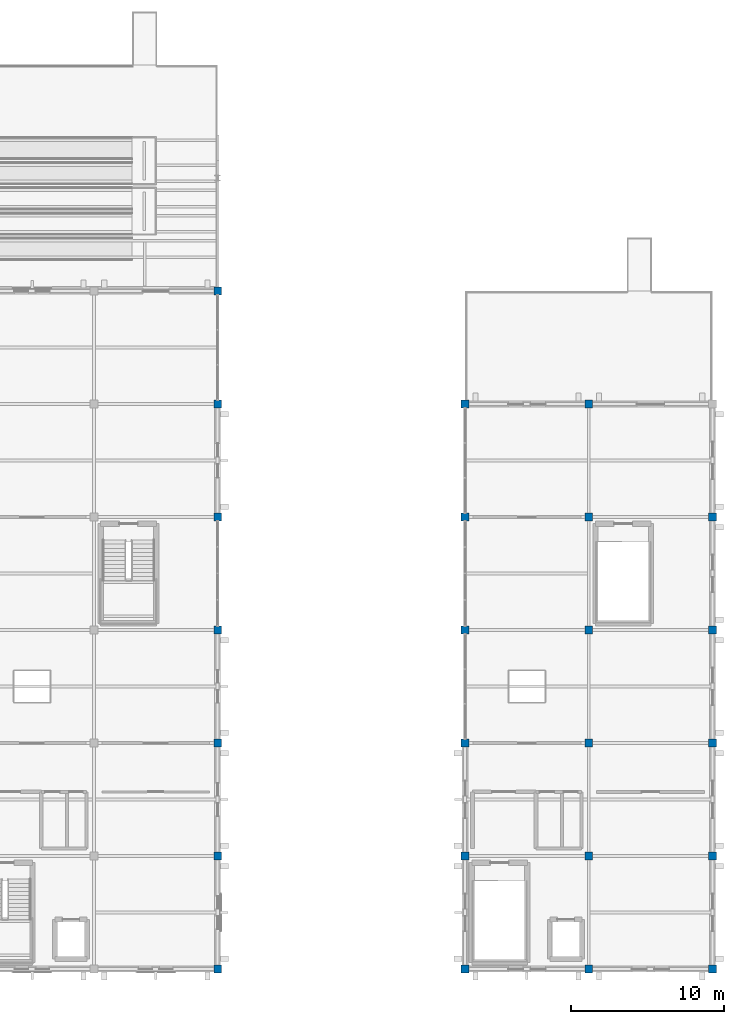
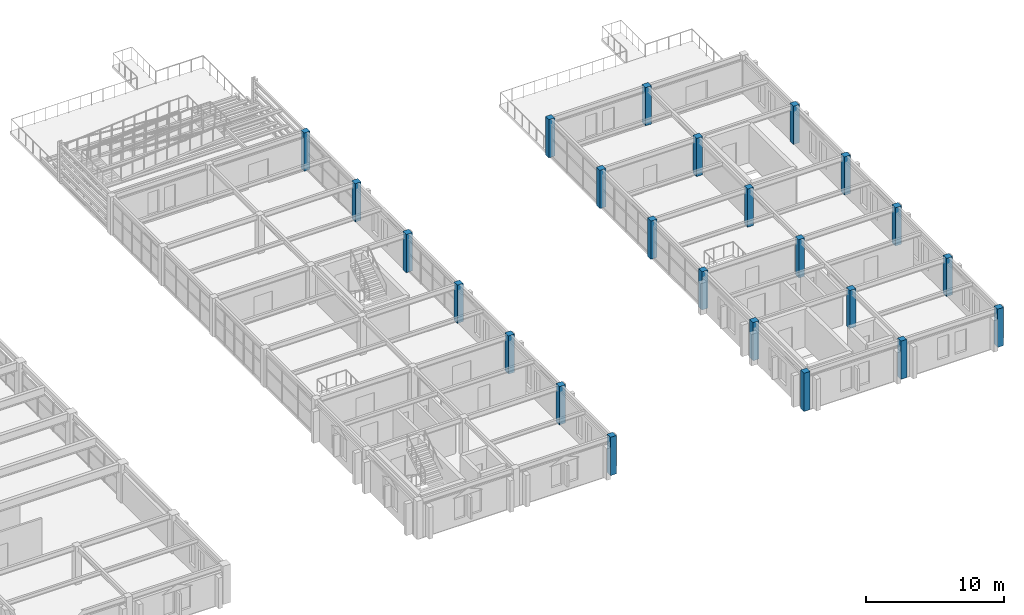
# One storey, part 3 of 93: 24 columns.
"""IFC4 building model written with IfcOpenShell, lengths in metres."""

from ifc_helpers import new_model, si_unit, direction, frame, origin, origin_2d, place, context, subcontext, project, spatial, rectangle, extrude, material, material_profile, profile_set, type_object, element, save


model = new_model("IFC4")

# Units and contexts
model_context = context("Model", 3, precision=1e-05, world=origin(), true_north=direction((0.0, 1.0)))
body_context = subcontext(model_context, "Body", "Model", "MODEL_VIEW")
ifc_project = project(units=[si_unit("LENGTHUNIT", "METRE"), si_unit("AREAUNIT", "SQUARE_METRE"), si_unit("VOLUMEUNIT", "CUBIC_METRE"), si_unit("PLANEANGLEUNIT", "RADIAN"), si_unit("MASSUNIT", "GRAM", prefix="KILO")], contexts=[model_context])

# Site, building, storey
site_placement = place(None, origin())
site = spatial("IfcSite", under=ifc_project, at=site_placement, CompositionType="ELEMENT")
building_placement = place(site_placement, origin())
building = spatial("IfcBuilding", under=site, at=building_placement, Name="Cimatlan Art Gallery", CompositionType="ELEMENT")
storey_placement = place(building_placement, frame((0.0, 0.0, 13.800048828125)))
storey = spatial("IfcBuildingStorey", under=building, at=storey_placement, Name="L03", CompositionType="ELEMENT", Elevation=13.800048828125)

# Columns
ifc_material = material(Name="Concrete C45/55", Category="concrete")
ifc_material_profile = material_profile(ifc_material, rectangle(XDim=0.5, YDim=0.5, at=origin_2d()), Name="RC500X500")
ifc_profile_set = profile_set([ifc_material_profile], Name="Concrete C45/55")
column_type = type_object("IfcColumnType", Name="COL-RC-500", PredefinedType="COLUMN", material=ifc_profile_set)
for number, where, z_axis, x_axis, name in (
    (1, (131.60009765625, 23.89990234375, 0.0), (0.0, 0.0, 1.0), (1.0, 0.0, 0.0), "COL-L03-16-03"),
    (2, (131.60009765625, 31.300048828125, 0.0), (0.0, 0.0, 1.0), (1.0, 0.0, 0.0), "COL-L03-16-04"),
    (3, (131.60009765625, 38.699951171875, 0.0), (0.0, 0.0, 1.0), (1.0, 0.0, 0.0), "COL-L03-16-05"),
    (4, (131.60009765625, 46.10009765625, 0.0), (0.0, 0.0, 1.0), (1.0, 0.0, 0.0), "COL-L03-16-06"),
    (5, (131.60009765625, 53.5, 0.0), (0.0, 0.0, 1.0), (1.0, 0.0, 0.0), "COL-L03-16-07"),
    (6, (131.60009765625, 60.89990234375, 0.0), (0.0, 0.0, 1.0), (1.0, 0.0, 0.0), "COL-L03-16-08"),
    (7, (131.60009765625, 68.300048828125, 0.0), (0.0, 0.0, 1.0), (1.0, 0.0, 0.0), "COL-L03-16-09"),
    (8, (147.800048828125, 23.89990234375, 0.0), (0.0, 0.0, 1.0), (1.0, 0.0, 0.0), "COL-L03-18-03"),
    (9, (147.800048828125, 31.300048828125, 0.0), (0.0, 0.0, 1.0), (1.0, 0.0, 0.0), "COL-L03-18-04"),
    (10, (147.800048828125, 38.699951171875, 0.0), (0.0, 0.0, 1.0), (1.0, 0.0, 0.0), "COL-L03-18-05"),
    (11, (147.800048828125, 46.10009765625, 0.0), (0.0, 0.0, 1.0), (1.0, 0.0, 0.0), "COL-L03-18-06"),
    (12, (147.800048828125, 53.5, 0.0), (0.0, 0.0, 1.0), (1.0, 0.0, 0.0), "COL-L03-18-07"),
    (13, (147.800048828125, 60.89990234375, 0.0), (0.0, 0.0, 1.0), (1.0, 0.0, 0.0), "COL-L03-18-08"),
    (14, (155.89990234375, 23.89990234375, 0.0), (0.0, 0.0, 1.0), (1.0, 0.0, 0.0), "COL-L03-19-03"),
    (15, (155.89990234375, 31.300048828125, 0.0), (0.0, 0.0, 1.0), (1.0, 0.0, 0.0), "COL-L03-19-04"),
    (16, (155.89990234375, 38.699951171875, 0.0), (0.0, 0.0, 1.0), (1.0, 0.0, 0.0), "COL-L03-19-05"),
    (17, (155.89990234375, 46.10009765625, 0.0), (0.0, 0.0, 1.0), (1.0, 0.0, 0.0), "COL-L03-19-06"),
    (18, (155.89990234375, 53.5, 0.0), (0.0, 0.0, 1.0), (1.0, 0.0, 0.0), "COL-L03-19-07"),
    (19, (155.89990234375, 60.89990234375, 0.0), (0.0, 0.0, 1.0), (1.0, 0.0, 0.0), "COL-L03-19-08"),
    (20, (164.0, 23.89990234375, 0.0), (0.0, 0.0, 1.0), (1.0, 0.0, 0.0), "COL-L03-20-03"),
    (21, (164.0, 31.300048828125, 0.0), (0.0, 0.0, 1.0), (1.0, 0.0, 0.0), "COL-L03-20-04"),
    (22, (164.0, 38.699951171875, 0.0), (0.0, 0.0, 1.0), (1.0, 0.0, 0.0), "COL-L03-20-05"),
    (23, (164.0, 46.10009765625, 0.0), (0.0, 0.0, 1.0), (1.0, 0.0, 0.0), "COL-L03-20-06"),
    (24, (164.0, 53.5, 0.0), (0.0, 0.0, 1.0), (1.0, 0.0, 0.0), "COL-L03-20-07"),
):
    element("IfcColumn", number, at=place(storey_placement, frame(where, z_axis=z_axis, x_axis=x_axis)), inside=storey, type_object=column_type, Name=name, PredefinedType="COLUMN", context=body_context, shape_type="SweptSolid", body=[
        extrude(rectangle(XDim=0.5, YDim=0.5, at=origin_2d()), origin(), (0.0, 0.0, 1.0), 3.3798828125),
    ])

save(model, "model.ifc")
